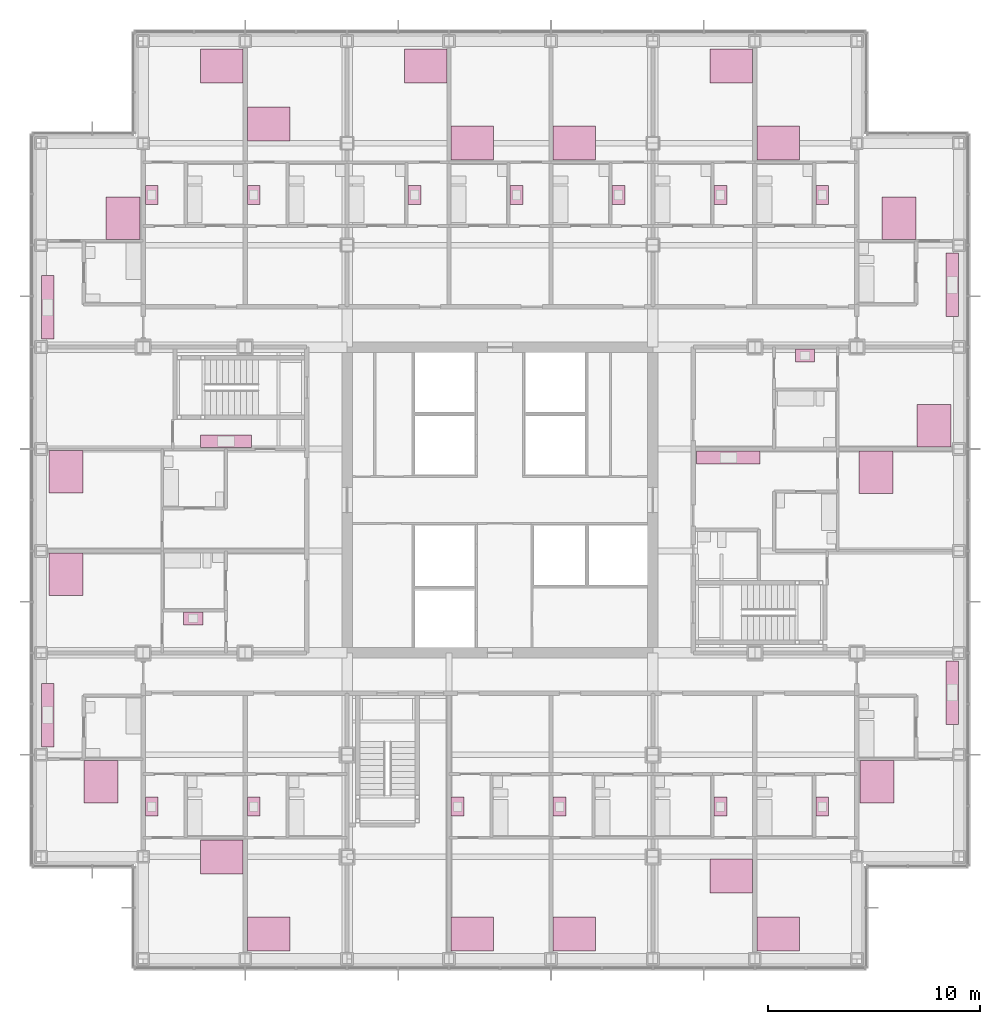
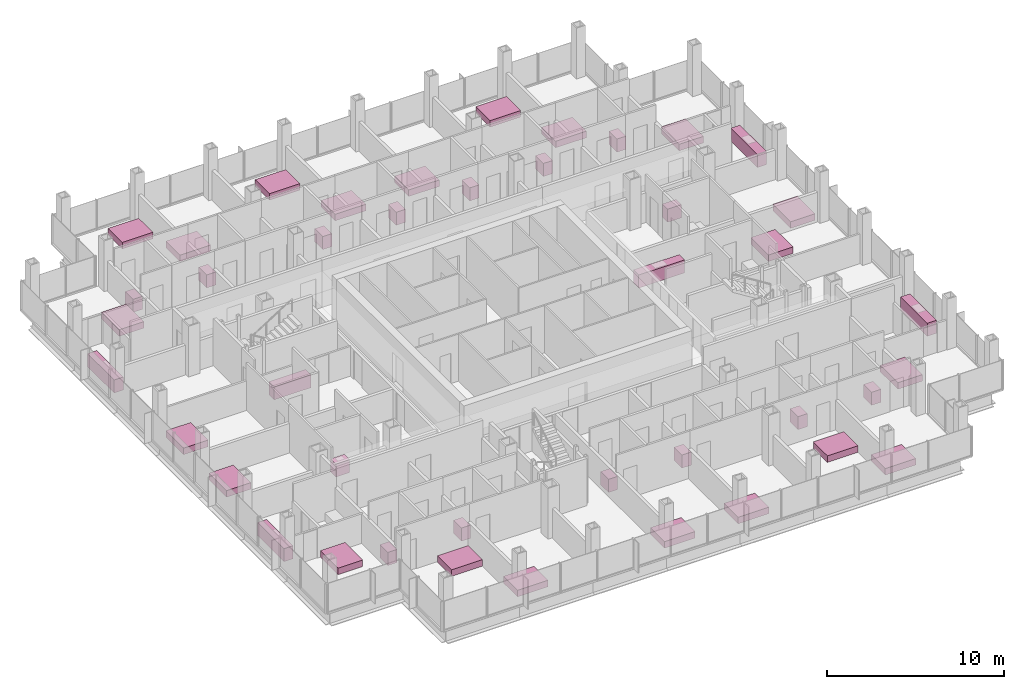
# One storey, part 22 of 22: 42 furniture elements.
"""IFC4 building model written with IfcOpenShell, lengths in metres."""

import ifcopenshell
import ifcopenshell.guid

model = None  # the IFC model being written
_history = None  # IfcOwnerHistory: only IFC2X3 demands one
_inside = {}  # id of a spatial element -> (the spatial element, [elements in it])
_under = {}  # id of a project, library or spatial element -> (it, [spatial elements below it])
_declared = {}  # id of a project -> (the project, [libraries it declares])
_typed = {}  # id of a type object -> (the type object, [elements of that type])
_made_of = {}  # id of a material, layer set ... -> (it, [elements and type objects made of it])


def new_model(schema):
    """Start an empty IFC model of exactly this schema.

    Asked for "IFC4X3", IfcOpenShell would pick the latest addendum, in which some entities
    have other attributes; the version numbers below select the first issue.
    IFC2X3 requires an IfcOwnerHistory on every rooted entity: one is made here for all.
    """
    global model, _history
    if schema == "IFC4X3":
        model = ifcopenshell.file(schema_version=(4, 3, 0, 0))
    else:
        model = ifcopenshell.file(schema=schema)
    _inside.clear()
    _under.clear()
    _declared.clear()
    _typed.clear()
    _made_of.clear()
    _history = None
    if model.schema == "IFC2X3":
        org = make("IfcOrganization", Name="unknown")
        user = make(
            "IfcPersonAndOrganization",
            ThePerson=make("IfcPerson", FamilyName="unknown"),
            TheOrganization=org,
        )
        app = make(
            "IfcApplication",
            ApplicationDeveloper=org,
            Version="unknown",
            ApplicationFullName="unknown",
            ApplicationIdentifier="unknown",
        )
        _history = make(
            "IfcOwnerHistory",
            OwningUser=user,
            OwningApplication=app,
            ChangeAction="ADDED",
            CreationDate=0,
        )
    return model


def make(cls, **values):
    """One entity of the class cls with the attributes given. An attribute that is None is left unset."""
    return model.create_entity(
        cls, **{name: value for name, value in values.items() if value is not None}
    )


def rooted(cls, **values):
    """An entity with a GlobalId (a new one), such as an element, a storey or a relation."""
    return make(cls, GlobalId=ifcopenshell.guid.new(), OwnerHistory=_history, **values)


def si_unit(unit_type, name, prefix=None):
    """IfcSIUnit, for example si_unit("LENGTHUNIT", "METRE", prefix="MILLI")."""
    return make("IfcSIUnit", UnitType=unit_type, Prefix=prefix, Name=name)


def assignment(units):
    """IfcUnitAssignment: the units of a project."""
    return None if units is None else make("IfcUnitAssignment", Units=units)


def point(xyz):
    """IfcCartesianPoint."""
    return None if xyz is None else make("IfcCartesianPoint", Coordinates=xyz)


def direction(xyz):
    """IfcDirection."""
    return None if xyz is None else make("IfcDirection", DirectionRatios=xyz)


def frame(location, z_axis=None, x_axis=None):
    """IfcAxis2Placement3D, a coordinate frame: its origin and axes. An axis left out is left unset."""
    return make(
        "IfcAxis2Placement3D",
        Location=point(location),
        Axis=direction(z_axis),
        RefDirection=direction(x_axis),
    )


def frame_2d(location, x_axis=None):
    """IfcAxis2Placement2D, a coordinate frame in the plane: its origin and x axis."""
    return make(
        "IfcAxis2Placement2D", Location=point(location), RefDirection=direction(x_axis)
    )


def origin():
    """The frame at (0, 0, 0) with its axes left unset."""
    return frame((0.0, 0.0, 0.0))


def origin_2d():
    """The frame at (0, 0) in the plane with its x axis left unset."""
    return frame_2d((0.0, 0.0))


def place(relative_to, where):
    """IfcLocalPlacement: puts the frame where relative to a parent placement (None: the world)."""
    return make(
        "IfcLocalPlacement", PlacementRelTo=relative_to, RelativePlacement=where
    )


def context(
    kind, dimensions, precision=None, world=None, true_north=None, identifier=None
):
    """IfcGeometricRepresentationContext, for example the 3D "Model" context."""
    return make(
        "IfcGeometricRepresentationContext",
        ContextIdentifier=identifier,
        ContextType=kind,
        CoordinateSpaceDimension=dimensions,
        Precision=precision,
        WorldCoordinateSystem=world,
        TrueNorth=true_north,
    )


def subcontext(parent, identifier, kind, view, scale=None):
    """IfcGeometricRepresentationSubContext, for example "Body" below "Model"."""
    return make(
        "IfcGeometricRepresentationSubContext",
        ContextIdentifier=identifier,
        ContextType=kind,
        ParentContext=parent,
        TargetScale=scale,
        TargetView=view,
    )


def project(units=None, contexts=None):
    """IfcProject with its units and contexts."""
    return rooted(
        "IfcProject",
        Name="project",
        RepresentationContexts=contexts,
        UnitsInContext=assignment(units),
    )


def spatial(cls, under=None, at=None, **own):
    """A site, building, storey or space (cls), placed at a placement, below another one or the project."""
    s = rooted(cls, ObjectPlacement=at, **own)
    if under is not None:
        _under.setdefault(under.id(), (under, []))[1].append(s)
    return s


def profile(cls, at=None, kind="AREA", **sizes):
    """A parametric profile (cls). Its sizes go by their IFC names, for example OverallWidth=200.0."""
    return make(cls, ProfileType=kind, Position=at, **sizes)


def rectangle(**sizes):
    """IfcRectangleProfileDef."""
    return profile("IfcRectangleProfileDef", **sizes)


def extrude(swept, where, along, depth):
    """IfcExtrudedAreaSolid: the profile swept, set in the frame where, extruded along a direction by depth."""
    return make(
        "IfcExtrudedAreaSolid",
        SweptArea=swept,
        Position=where,
        ExtrudedDirection=direction(along),
        Depth=depth,
    )


def shape(context_of_items, identifier, shape_type, items):
    """IfcShapeRepresentation: the items that make up one representation, for example the "Body"."""
    return make(
        "IfcShapeRepresentation",
        ContextOfItems=context_of_items,
        RepresentationIdentifier=identifier,
        RepresentationType=shape_type,
        Items=items,
    )


def material(Name=None, Category=None):
    """IfcMaterial."""
    return make("IfcMaterial", Name=Name, Category=Category)


def made_of(thing, what):
    """Note that an element or type object is made of a material, layer set ...; save() writes the relation."""
    if what is not None:
        _made_of.setdefault(what.id(), (what, []))[1].append(thing)
    return thing


def type_object(cls, material=None, **own):
    """A type object (cls), such as IfcWallType, which elements share."""
    return made_of(rooted(cls, **own), material)


def element(
    cls,
    number,
    at=None,
    inside=None,
    cuts=None,
    type_object=None,
    material=None,
    context=None,
    identifier="Body",
    shape_type=None,
    held_by="IfcProductDefinitionShape",
    body=None,
    shapes=None,
    **own,
):
    """One element of the class cls, such as IfcWall. Its Tag is "e" and its number.

    at: its placement. inside: the storey or other place that contains it. cuts: it is an
    opening in that element (IfcRelVoidsElement). A single representation is given by context,
    identifier, shape_type and body (its items); several are given by shapes. held_by: the class
    of the entity that holds the representations. save() writes the other relations.
    """
    e = rooted(cls, Tag="e%d" % number, ObjectPlacement=at, **own)
    if body is not None:
        shapes = [shape(context, identifier, shape_type, body)]
    if shapes is not None:
        e.Representation = make(held_by, Representations=shapes)
    if inside is not None:
        _inside.setdefault(inside.id(), (inside, []))[1].append(e)
    if cuts is not None:
        rooted(
            "IfcRelVoidsElement", RelatingBuildingElement=cuts, RelatedOpeningElement=e
        )
    if type_object is not None:
        _typed.setdefault(type_object.id(), (type_object, []))[1].append(e)
    return made_of(e, material)


def aggregate(whole, parts):
    """IfcRelAggregates: a whole, such as a stair, and the parts it consists of."""
    return rooted("IfcRelAggregates", RelatingObject=whole, RelatedObjects=parts)


def save(model, path):
    """Write the relations noted so far, then the file.

    IfcRelAggregates (storeys below a building ...), IfcRelContainedInSpatialStructure (elements
    in a storey), IfcRelDefinesByType, IfcRelAssociatesMaterial and IfcRelDeclares: one each for
    every whole, place, type object, material and project.
    """
    for whole, parts in _under.values():
        aggregate(whole, parts)
    for where, things in _inside.values():
        rooted(
            "IfcRelContainedInSpatialStructure",
            RelatedElements=things,
            RelatingStructure=where,
        )
    for kind, things in _typed.values():
        rooted("IfcRelDefinesByType", RelatedObjects=things, RelatingType=kind)
    for what, things in _made_of.values():
        rooted("IfcRelAssociatesMaterial", RelatedObjects=things, RelatingMaterial=what)
    for by, libraries in _declared.values():
        rooted("IfcRelDeclares", RelatingContext=by, RelatedDefinitions=libraries)
    model.write(path)


model = new_model("IFC4")

# Units and contexts
model_context = context("Model", 3, precision=1e-05, world=origin(), true_north=direction((0.0, 1.0)))
body_context = subcontext(model_context, "Body", "Model", "MODEL_VIEW")
ifc_project = project(units=[si_unit("LENGTHUNIT", "METRE"), si_unit("AREAUNIT", "SQUARE_METRE"), si_unit("VOLUMEUNIT", "CUBIC_METRE"), si_unit("PLANEANGLEUNIT", "RADIAN"), si_unit("MASSUNIT", "GRAM", prefix="KILO")], contexts=[model_context])

# Site, building, storey
site_placement = place(None, origin())
site = spatial("IfcSite", under=ifc_project, at=site_placement, CompositionType="ELEMENT")
building_placement = place(site_placement, origin())
building = spatial("IfcBuilding", under=site, at=building_placement, Name="Kvirike Care Tower", CompositionType="ELEMENT")
storey_placement = place(building_placement, frame((0.0, 0.0, 76.0)))
storey = spatial("IfcBuildingStorey", under=building, at=storey_placement, Name="L20", CompositionType="ELEMENT", Elevation=76.0)

# Furniture
ifc_material_1 = material(Name="Timber", Category="wood")
furniture_type_1 = type_object("IfcFurnitureType", Name="DOUBLE BED 1600 x 2000", AssemblyPlace="FACTORY", PredefinedType="BED", material=ifc_material_1)
for number, where, z_axis, x_axis, name in (
    (1, (2.820068359375, 22.738037109375, 0.0), (0.0, 0.0, 1.0), (1.0, 0.0, 0.0), "Double bed L20-002"),
    (2, (8.498046875, 19.18994140625, 0.0), (0.0, 0.0, 1.0), (0.0, -1.0, 0.0), "Double bed L20-005"),
    (3, (10.701904296875, 15.570068359375, 0.0), (0.0, 0.0, 1.0), (0.0, 1.0, 0.0), "Double bed L20-009"),
    (4, (1.169921875, 37.337890625, 0.0), (0.0, 0.0, 1.0), (1.0, 0.0, 0.0), "Double bed L20-016"),
    (5, (1.169921875, 32.498046875, 0.0), (0.0, 0.0, 1.0), (1.0, 0.0, 0.0), "Double bed L20-020"),
    (6, (10.701904296875, 53.7099609375, 0.0), (0.0, 0.0, 1.0), (0.0, 1.0, 0.0), "Double bed L20-025"),
    (7, (8.498046875, 56.429931640625, 0.0), (0.0, 0.0, 1.0), (0.0, -1.0, 0.0), "Double bed L20-029"),
    (8, (3.85009765625, 49.261962890625, 0.0), (0.0, 0.0, 1.0), (-1.0, 0.0, 0.0), "Double bed L20-033"),
    (9, (20.302001953125, 15.570068359375, 0.0), (0.0, 0.0, 1.0), (0.0, 1.0, 0.0), "Double bed L20-039"),
    (10, (25.10205078125, 15.570068359375, 0.0), (0.0, 0.0, 1.0), (0.0, 1.0, 0.0), "Double bed L20-043"),
    (11, (25.10205078125, 52.81005859375, 0.0), (0.0, 0.0, 1.0), (0.0, 1.0, 0.0), "Double bed L20-048"),
    (12, (20.302001953125, 52.81005859375, 0.0), (0.0, 0.0, 1.0), (0.0, 1.0, 0.0), "Double bed L20-052"),
    (13, (18.097900390625, 56.429931640625, 0.0), (0.0, 0.0, 1.0), (0.0, -1.0, 0.0), "Double bed L20-056"),
    (14, (32.498046875, 18.2900390625, 0.0), (0.0, 0.0, 1.0), (0.0, -1.0, 0.0), "Double bed L20-061"),
    (15, (34.701904296875, 15.570068359375, 0.0), (0.0, 0.0, 1.0), (0.0, 1.0, 0.0), "Double bed L20-065"),
    (16, (39.35009765625, 22.738037109375, 0.0), (0.0, 0.0, 1.0), (1.0, 0.0, 0.0), "Double bed L20-069"),
    (17, (39.31005859375, 37.298095703125, 0.0), (0.0, 0.0, 1.0), (1.0, 0.0, 0.0), "Double bed L20-075"),
    (18, (42.030029296875, 39.501953125, 0.0), (0.0, 0.0, 1.0), (-1.0, 0.0, 0.0), "Double bed L20-079"),
    (19, (40.3798828125, 49.261962890625, 0.0), (0.0, 0.0, 1.0), (-1.0, 0.0, 0.0), "Double bed L20-084"),
    (20, (34.701904296875, 52.81005859375, 0.0), (0.0, 0.0, 1.0), (0.0, 1.0, 0.0), "Double bed L20-087"),
    (21, (32.498046875, 56.429931640625, 0.0), (0.0, 0.0, 1.0), (0.0, -1.0, 0.0), "Double bed L20-091"),
):
    element("IfcFurniture", number, at=place(storey_placement, frame(where, z_axis=z_axis, x_axis=x_axis)), inside=storey, type_object=furniture_type_1, Name=name, PredefinedType="BED", context=body_context, shape_type="SweptSolid", body=[
        extrude(rectangle(XDim=1.60009765625, YDim=2.0, at=origin_2d()), origin(), (0.0, 0.0, 1.0), 0.449951171875),
    ])
ifc_material_2 = material(Name="Laminated board", Category="wood")
furniture_type_2 = type_object("IfcFurnitureType", Name="KITCHEN UNIT RUN 600", AssemblyPlace="FACTORY", PredefinedType="USERDEFINED", material=ifc_material_2)
furniture_1_placement = place(storey_placement, frame((0.302001953125, 25.8701171875, 0.0), z_axis=(0.0, 0.0, 1.0), x_axis=(0.0, 1.0, 0.0)))
element("IfcFurniture", 22, at=furniture_1_placement, inside=storey, type_object=furniture_type_2, Name="Kitchen unit run L20-004", ObjectType="KITCHEN UNIT", PredefinedType="USERDEFINED", context=body_context, shape_type="SweptSolid", body=[
    extrude(rectangle(XDim=3.0, YDim=0.60009765625, at=origin_2d()), origin(), (0.0, 0.0, 1.0), 0.89990234375),
])
for number, where, z_axis, x_axis, name in (
    (23, (5.201904296875, 21.56005859375, 0.0), (0.0, 0.0, 1.0), (0.0, 1.0, 0.0), "Kitchen unit run L20-007"),
    (24, (10.001953125, 21.56005859375, 0.0), (0.0, 0.0, 1.0), (0.0, 1.0, 0.0), "Kitchen unit run L20-011"),
):
    element("IfcFurniture", number, at=place(storey_placement, frame(where, z_axis=z_axis, x_axis=x_axis)), inside=storey, type_object=furniture_type_2, Name=name, ObjectType="KITCHEN UNIT", PredefinedType="USERDEFINED", context=body_context, shape_type="SweptSolid", body=[
        extrude(rectangle(XDim=0.89990234375, YDim=0.60009765625, at=origin_2d()), origin(), (0.0, 0.0, 1.0), 0.89990234375),
    ])
furniture_2_placement = place(storey_placement, frame((8.699951171875, 38.761962890625, 0.0), z_axis=(0.0, 0.0, 1.0), x_axis=(-1.0, 0.0, 0.0)))
element("IfcFurniture", 25, at=furniture_2_placement, inside=storey, type_object=furniture_type_2, Name="Kitchen unit run L20-018", ObjectType="KITCHEN UNIT", PredefinedType="USERDEFINED", context=body_context, shape_type="SweptSolid", body=[
    extrude(rectangle(XDim=2.39990234375, YDim=0.60009765625, at=origin_2d()), origin(), (0.0, 0.0, 1.0), 0.89990234375),
])
for number, where, z_axis, x_axis, name in (
    (26, (7.159912109375, 30.423095703125, 0.0), (0.0, 0.0, 1.0), (1.0, 0.0, 0.0), "Kitchen unit run L20-022"),
    (27, (10.001953125, 50.360107421875, 0.0), (0.0, 0.0, 1.0), (0.0, 1.0, 0.0), "Kitchen unit run L20-027"),
    (28, (5.201904296875, 50.360107421875, 0.0), (0.0, 0.0, 1.0), (0.0, 1.0, 0.0), "Kitchen unit run L20-031"),
):
    element("IfcFurniture", number, at=place(storey_placement, frame(where, z_axis=z_axis, x_axis=x_axis)), inside=storey, type_object=furniture_type_2, Name=name, ObjectType="KITCHEN UNIT", PredefinedType="USERDEFINED", context=body_context, shape_type="SweptSolid", body=[
        extrude(rectangle(XDim=0.89990234375, YDim=0.60009765625, at=origin_2d()), origin(), (0.0, 0.0, 1.0), 0.89990234375),
    ])
furniture_3_placement = place(storey_placement, frame((0.302001953125, 45.070068359375, 0.0), z_axis=(0.0, 0.0, 1.0), x_axis=(0.0, 1.0, 0.0)))
element("IfcFurniture", 29, at=furniture_3_placement, inside=storey, type_object=furniture_type_2, Name="Kitchen unit run L20-035", ObjectType="KITCHEN UNIT", PredefinedType="USERDEFINED", context=body_context, shape_type="SweptSolid", body=[
    extrude(rectangle(XDim=3.0, YDim=0.60009765625, at=origin_2d()), origin(), (0.0, 0.0, 1.0), 0.89990234375),
])
for number, where, z_axis, x_axis, name in (
    (30, (19.60205078125, 21.56005859375, 0.0), (0.0, 0.0, 1.0), (0.0, 1.0, 0.0), "Kitchen unit run L20-041"),
    (31, (24.402099609375, 21.56005859375, 0.0), (0.0, 0.0, 1.0), (0.0, 1.0, 0.0), "Kitchen unit run L20-045"),
    (32, (27.177001953125, 50.360107421875, 0.0), (0.0, 0.0, 1.0), (0.0, 1.0, 0.0), "Kitchen unit run L20-050"),
    (33, (22.376953125, 50.360107421875, 0.0), (0.0, 0.0, 1.0), (0.0, 1.0, 0.0), "Kitchen unit run L20-054"),
    (34, (17.576904296875, 50.360107421875, 0.0), (0.0, 0.0, 1.0), (0.0, 1.0, 0.0), "Kitchen unit run L20-058"),
    (35, (31.97705078125, 21.56005859375, 0.0), (0.0, 0.0, 1.0), (0.0, 1.0, 0.0), "Kitchen unit run L20-063"),
    (36, (36.777099609375, 21.56005859375, 0.0), (0.0, 0.0, 1.0), (0.0, 1.0, 0.0), "Kitchen unit run L20-067"),
):
    element("IfcFurniture", number, at=place(storey_placement, frame(where, z_axis=z_axis, x_axis=x_axis)), inside=storey, type_object=furniture_type_2, Name=name, ObjectType="KITCHEN UNIT", PredefinedType="USERDEFINED", context=body_context, shape_type="SweptSolid", body=[
        extrude(rectangle(XDim=0.89990234375, YDim=0.60009765625, at=origin_2d()), origin(), (0.0, 0.0, 1.0), 0.89990234375),
    ])
for number, where, z_axis, x_axis, name in (
    (37, (42.89794921875, 26.929931640625, 0.0), (0.0, 0.0, 1.0), (0.0, -1.0, 0.0), "Kitchen unit run L20-071"),
    (38, (32.35009765625, 37.998046875, 0.0), (0.0, 0.0, 1.0), (1.0, 0.0, 0.0), "Kitchen unit run L20-078"),
):
    element("IfcFurniture", number, at=place(storey_placement, frame(where, z_axis=z_axis, x_axis=x_axis)), inside=storey, type_object=furniture_type_2, Name=name, ObjectType="KITCHEN UNIT", PredefinedType="USERDEFINED", context=body_context, shape_type="SweptSolid", body=[
        extrude(rectangle(XDim=3.0, YDim=0.60009765625, at=origin_2d()), origin(), (0.0, 0.0, 1.0), 0.89990234375),
    ])
furniture_4_placement = place(storey_placement, frame((35.9599609375, 42.798095703125, 0.0), z_axis=(0.0, 0.0, 1.0), x_axis=(1.0, 0.0, 0.0)))
element("IfcFurniture", 39, at=furniture_4_placement, inside=storey, type_object=furniture_type_2, Name="Kitchen unit run L20-081", ObjectType="KITCHEN UNIT", PredefinedType="USERDEFINED", context=body_context, shape_type="SweptSolid", body=[
    extrude(rectangle(XDim=0.89990234375, YDim=0.60009765625, at=origin_2d()), origin(), (0.0, 0.0, 1.0), 0.89990234375),
])
furniture_5_placement = place(storey_placement, frame((42.89794921875, 46.1298828125, 0.0), z_axis=(0.0, 0.0, 1.0), x_axis=(0.0, -1.0, 0.0)))
element("IfcFurniture", 40, at=furniture_5_placement, inside=storey, type_object=furniture_type_2, Name="Kitchen unit run L20-086", ObjectType="KITCHEN UNIT", PredefinedType="USERDEFINED", context=body_context, shape_type="SweptSolid", body=[
    extrude(rectangle(XDim=3.0, YDim=0.60009765625, at=origin_2d()), origin(), (0.0, 0.0, 1.0), 0.89990234375),
])
for number, where, z_axis, x_axis, name in (
    (41, (36.777099609375, 50.360107421875, 0.0), (0.0, 0.0, 1.0), (0.0, 1.0, 0.0), "Kitchen unit run L20-089"),
    (42, (31.97705078125, 50.360107421875, 0.0), (0.0, 0.0, 1.0), (0.0, 1.0, 0.0), "Kitchen unit run L20-093"),
):
    element("IfcFurniture", number, at=place(storey_placement, frame(where, z_axis=z_axis, x_axis=x_axis)), inside=storey, type_object=furniture_type_2, Name=name, ObjectType="KITCHEN UNIT", PredefinedType="USERDEFINED", context=body_context, shape_type="SweptSolid", body=[
        extrude(rectangle(XDim=0.89990234375, YDim=0.60009765625, at=origin_2d()), origin(), (0.0, 0.0, 1.0), 0.89990234375),
    ])

save(model, "model.ifc")
